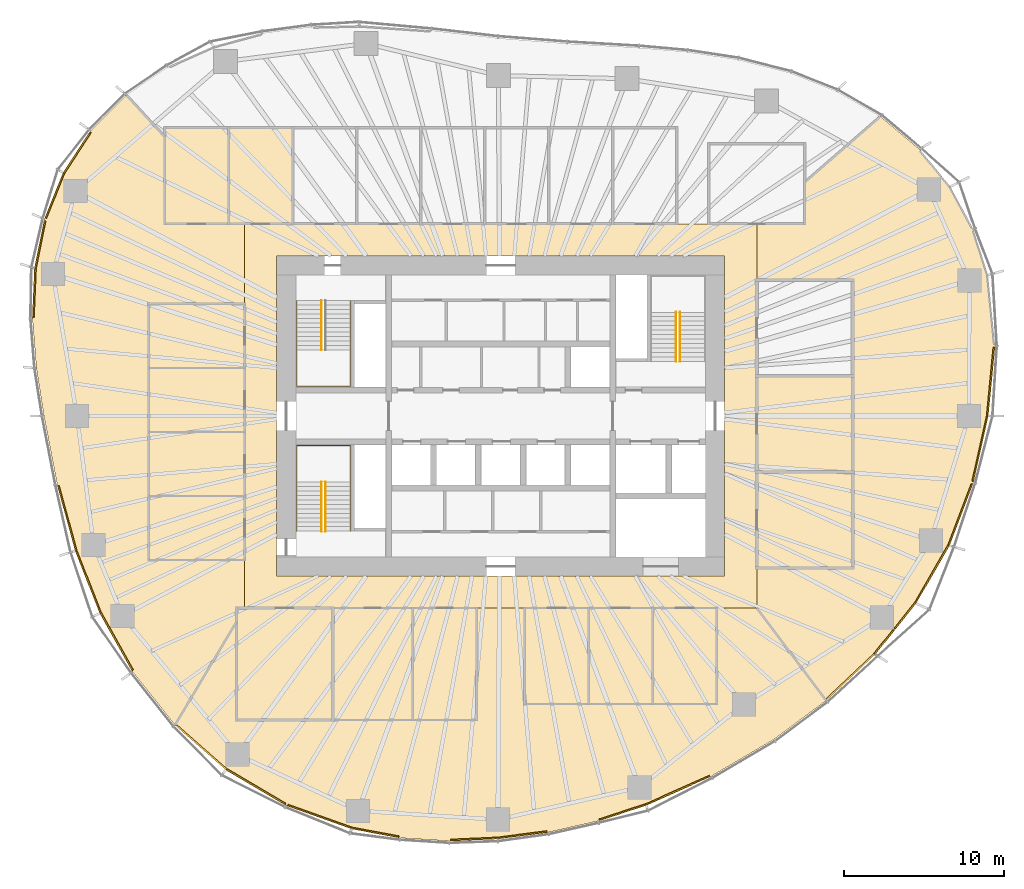
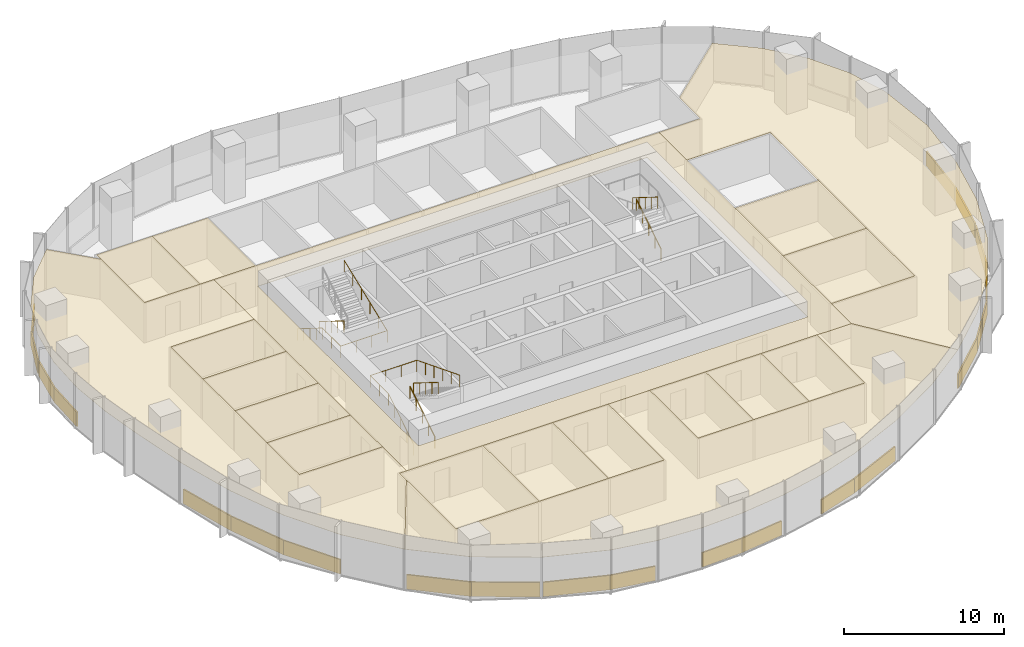
# One storey, part 17 of 18: 40 coverings, 7 railings.
"""IFC4 building model written with IfcOpenShell, lengths in metres."""

from ifc_helpers import new_model, si_unit, direction, frame, origin, origin_2d, place, context, subcontext, project, spatial, polyline, rectangle, circle, outline, extrude, material, layer, layer_set, type_object, element, save


model = new_model("IFC4")

# Units and contexts
model_context = context("Model", 3, precision=1e-05, world=origin(), true_north=direction((0.0, 1.0)))
body_context = subcontext(model_context, "Body", "Model", "MODEL_VIEW")
ifc_project = project(units=[si_unit("LENGTHUNIT", "METRE"), si_unit("AREAUNIT", "SQUARE_METRE"), si_unit("VOLUMEUNIT", "CUBIC_METRE"), si_unit("PLANEANGLEUNIT", "RADIAN"), si_unit("MASSUNIT", "GRAM", prefix="KILO")], contexts=[model_context])

# Site, building, storey
site_placement = place(None, origin())
site = spatial("IfcSite", under=ifc_project, at=site_placement, CompositionType="ELEMENT")
building_placement = place(site_placement, origin())
building = spatial("IfcBuilding", under=site, at=building_placement, Name="Ghaith Harvest Tower", CompositionType="ELEMENT")
storey_placement = place(building_placement, frame((0.0, 0.0, 113.39990234375)))
storey = spatial("IfcBuildingStorey", under=building, at=storey_placement, Name="L23", CompositionType="ELEMENT", Elevation=113.39990234375)

# Coverings
ifc_material_1 = material(Name="Mineral fibre ceiling tile", Category="gypsum")
ifc_layer_1 = layer(ifc_material_1, 0.02001953125)
ifc_layer_set_1 = layer_set([ifc_layer_1], Name="CEILING C1")
covering_type_1 = type_object("IfcCoveringType", Name="CEILING C1", PredefinedType="CEILING", material=ifc_layer_set_1)
covering_1_placement = place(storey_placement, frame((0.0, 0.0, 3.0)))
element("IfcCovering", 1, at=covering_1_placement, inside=storey, type_object=covering_type_1, Name="Ceiling L23-01", PredefinedType="CEILING", context=body_context, shape_type="SweptSolid", body=[
    extrude(outline(polyline([(-21.0, 12.0), (-17.0, 12.0), (-17.0, 18.0), (-21.0, 18.0), (-21.0, 12.0)])), origin(), (0.0, 0.0, 1.0), 0.02001953125),
])
covering_2_placement = place(storey_placement, frame((0.0, 0.0, 3.0)))
element("IfcCovering", 2, at=covering_2_placement, inside=storey, type_object=covering_type_1, Name="Ceiling L23-02", PredefinedType="CEILING", context=body_context, shape_type="SweptSolid", body=[
    extrude(outline(polyline([(-17.0, 12.0), (-13.0, 12.0), (-13.0, 18.0), (-17.0, 18.0), (-17.0, 12.0)])), origin(), (0.0, 0.0, 1.0), 0.02001953125),
])
covering_3_placement = place(storey_placement, frame((0.0, 0.0, 3.0)))
element("IfcCovering", 3, at=covering_3_placement, inside=storey, type_object=covering_type_1, Name="Ceiling L23-10", PredefinedType="CEILING", context=body_context, shape_type="SweptSolid", body=[
    extrude(outline(polyline([(16.0, -9.5), (22.0, -9.5), (22.0, -3.5), (16.0, -3.5), (16.0, -9.5)])), origin(), (0.0, 0.0, 1.0), 0.02001953125),
])
covering_4_placement = place(storey_placement, frame((0.0, 0.0, 3.0)))
element("IfcCovering", 4, at=covering_4_placement, inside=storey, type_object=covering_type_1, Name="Ceiling L23-11", PredefinedType="CEILING", context=body_context, shape_type="SweptSolid", body=[
    extrude(outline(polyline([(16.0, -3.5), (22.0, -3.5), (22.0, 2.5), (16.0, 2.5), (16.0, -3.5)])), origin(), (0.0, 0.0, 1.0), 0.02001953125),
])
covering_5_placement = place(storey_placement, frame((0.0, 0.0, 3.0)))
element("IfcCovering", 5, at=covering_5_placement, inside=storey, type_object=covering_type_1, Name="Ceiling L23-13", PredefinedType="CEILING", context=body_context, shape_type="SweptSolid", body=[
    extrude(outline(polyline([(-16.5, -19.0), (-10.5, -19.0), (-10.5, -12.0), (-16.5, -12.0), (-16.5, -19.0)])), origin(), (0.0, 0.0, 1.0), 0.02001953125),
])
covering_6_placement = place(storey_placement, frame((0.0, 0.0, 3.0)))
element("IfcCovering", 6, at=covering_6_placement, inside=storey, type_object=covering_type_1, Name="Ceiling L23-14", PredefinedType="CEILING", context=body_context, shape_type="SweptSolid", body=[
    extrude(outline(polyline([(-10.5, -19.0), (-5.5, -19.0), (-5.5, -12.0), (-10.5, -12.0), (-10.5, -19.0)])), origin(), (0.0, 0.0, 1.0), 0.02001953125),
])
covering_7_placement = place(storey_placement, frame((0.0, 0.0, 3.0)))
element("IfcCovering", 7, at=covering_7_placement, inside=storey, type_object=covering_type_1, Name="Ceiling L23-15", PredefinedType="CEILING", context=body_context, shape_type="SweptSolid", body=[
    extrude(outline(polyline([(-5.5, -19.0), (-1.5, -19.0), (-1.5, -12.0), (-5.5, -12.0), (-5.5, -19.0)])), origin(), (0.0, 0.0, 1.0), 0.02001953125),
])
covering_8_placement = place(storey_placement, frame((0.0, 0.0, 3.0)))
element("IfcCovering", 8, at=covering_8_placement, inside=storey, type_object=covering_type_1, Name="Ceiling L23-16", PredefinedType="CEILING", context=body_context, shape_type="SweptSolid", body=[
    extrude(outline(polyline([(1.5, -18.0), (5.5, -18.0), (5.5, -12.0), (1.5, -12.0), (1.5, -18.0)])), origin(), (0.0, 0.0, 1.0), 0.02001953125),
])
covering_9_placement = place(storey_placement, frame((0.0, 0.0, 3.0)))
element("IfcCovering", 9, at=covering_9_placement, inside=storey, type_object=covering_type_1, Name="Ceiling L23-17", PredefinedType="CEILING", context=body_context, shape_type="SweptSolid", body=[
    extrude(outline(polyline([(5.5, -18.0), (9.5, -18.0), (9.5, -12.0), (5.5, -12.0), (5.5, -18.0)])), origin(), (0.0, 0.0, 1.0), 0.02001953125),
])
covering_10_placement = place(storey_placement, frame((0.0, 0.0, 3.0)))
element("IfcCovering", 10, at=covering_10_placement, inside=storey, type_object=covering_type_1, Name="Ceiling L23-18", PredefinedType="CEILING", context=body_context, shape_type="SweptSolid", body=[
    extrude(outline(polyline([(9.5, -18.0), (13.5, -18.0), (13.5, -12.0), (9.5, -12.0), (9.5, -18.0)])), origin(), (0.0, 0.0, 1.0), 0.02001953125),
])
covering_11_placement = place(storey_placement, frame((0.0, 0.0, 3.0)))
element("IfcCovering", 11, at=covering_11_placement, inside=storey, type_object=covering_type_1, Name="Ceiling L23-19", PredefinedType="CEILING", context=body_context, shape_type="SweptSolid", body=[
    extrude(outline(polyline([(-22.0, -9.0), (-16.0, -9.0), (-16.0, -5.0), (-22.0, -5.0), (-22.0, -9.0)])), origin(), (0.0, 0.0, 1.0), 0.02001953125),
])
covering_12_placement = place(storey_placement, frame((0.0, 0.0, 3.0)))
element("IfcCovering", 12, at=covering_12_placement, inside=storey, type_object=covering_type_1, Name="Ceiling L23-20", PredefinedType="CEILING", context=body_context, shape_type="SweptSolid", body=[
    extrude(outline(polyline([(-22.0, -5.0), (-16.0, -5.0), (-16.0, -1.0), (-22.0, -1.0), (-22.0, -5.0)])), origin(), (0.0, 0.0, 1.0), 0.02001953125),
])
covering_13_placement = place(storey_placement, frame((0.0, 0.0, 3.0)))
element("IfcCovering", 13, at=covering_13_placement, inside=storey, type_object=covering_type_1, Name="Ceiling L23-21", PredefinedType="CEILING", context=body_context, shape_type="SweptSolid", body=[
    extrude(outline(polyline([(-22.0, -1.0), (-16.0, -1.0), (-16.0, 3.0), (-22.0, 3.0), (-22.0, -1.0)])), origin(), (0.0, 0.0, 1.0), 0.02001953125),
])
covering_14_placement = place(storey_placement, frame((0.0, 0.0, 3.0)))
element("IfcCovering", 14, at=covering_14_placement, inside=storey, type_object=covering_type_1, Name="Ceiling L23-22", PredefinedType="CEILING", context=body_context, shape_type="SweptSolid", body=[
    extrude(outline(polyline([(-22.0, 3.0), (-16.0, 3.0), (-16.0, 7.0), (-22.0, 7.0), (-22.0, 3.0)])), origin(), (0.0, 0.0, 1.0), 0.02001953125),
])
covering_15_placement = place(storey_placement, frame((0.0, 0.0, 3.0)))
element("IfcCovering", 15, at=covering_15_placement, inside=storey, type_object=covering_type_1, Name="Ceiling L23-C1", PredefinedType="CEILING", context=body_context, shape_type="SweptSolid", body=[
    extrude(outline(polyline([(-16.0, 12.0), (16.0, 12.0), (16.0, -12.0), (-16.0, -12.0), (-16.0, 12.0)]), holes=[polyline([(-14.0, -10.0), (14.0, -10.0), (14.0, 10.0), (-14.0, 10.0), (-14.0, -10.0)])]), origin(), (0.0, 0.0, 1.0), 0.02001953125),
])
covering_16_placement = place(storey_placement, frame((0.0, 0.0, 3.0)))
element("IfcCovering", 16, at=covering_16_placement, inside=storey, type_object=covering_type_1, Name="Ceiling L23-E1", PredefinedType="CEILING", context=body_context, shape_type="SweptSolid", body=[
    extrude(outline(polyline([(26.179443359375, 16.660888671875), (28.0888671875, 14.32568359375), (29.52294921875, 11.671875), (30.439208984375, 8.797607421875), (30.8798828125, 4.373046875), (30.458740234375, 0.0), (29.527099609375, -4.181396484375), (28.03125, -8.1015625), (25.94775390625, -11.714111328125), (23.400390625, -14.89208984375), (20.33935546875, -17.784912109375), (16.0, -12.0), (16.0, -9.5), (22.0, -9.5), (22.0, 8.5), (16.0, 8.5), (16.0, 12.0), (19.0, 12.0), (19.0, 14.60791015625), (23.7275390625, 18.718017578125), (26.179443359375, 16.660888671875)])), origin(), (0.0, 0.0, 1.0), 0.02001953125),
])
covering_17_placement = place(storey_placement, frame((0.0, 0.0, 3.0)))
element("IfcCovering", 17, at=covering_17_placement, inside=storey, type_object=covering_type_1, Name="Ceiling L23-S1", PredefinedType="CEILING", context=body_context, shape_type="SweptSolid", body=[
    extrude(outline(polyline([(17.054443359375, -20.22412109375), (13.163818359375, -22.510498046875), (9.09423828125, -24.326904296875), (6.09228515625, -25.308837890625), (2.99609375, -26.010009765625), (-0.180908203125, -26.423583984375), (-3.204833984375, -26.556884765625), (-6.2666015625, -26.366455078125), (-9.317138671875, -25.79638671875), (-13.4052734375, -24.33740234375), (-17.1728515625, -22.11181640625), (-20.35400390625, -19.31396484375), (-16.5, -12.83984375), (-16.5, -19.0), (-1.5, -19.0), (-1.5, -12.0), (1.5, -12.0), (1.5, -18.0), (13.5, -18.0), (13.5, -12.0), (16.0, -12.0), (20.33935546875, -17.784912109375), (17.054443359375, -20.22412109375)])), origin(), (0.0, 0.0, 1.0), 0.02001953125),
])
covering_18_placement = place(storey_placement, frame((0.0, 0.0, 3.0)))
element("IfcCovering", 18, at=covering_18_placement, inside=storey, type_object=covering_type_1, Name="Ceiling L23-W1", PredefinedType="CEILING", context=body_context, shape_type="SweptSolid", body=[
    extrude(outline(polyline([(-29.12646484375, 9.230712890625), (-28.506591796875, 12.29638671875), (-27.33837890625, 15.204833984375), (-25.61962890625, 17.826416015625), (-23.398193359375, 20.06103515625), (-21.0, 17.447998046875), (-21.0, 12.0), (-16.0, 12.0), (-16.0, 7.0), (-22.0, 7.0), (-22.0, -9.0), (-16.0, -9.0), (-16.0, -12.0), (-16.5, -12.0), (-16.5, -12.83984375), (-20.35400390625, -19.31396484375), (-22.99169921875, -15.997802734375), (-25.046875, -12.32861328125), (-26.580078125, -8.423583984375), (-27.70947265625, -4.285888671875), (-28.541259765625, 0.0), (-29.01171875, 2.978271484375), (-29.260498046875, 6.07177734375), (-29.12646484375, 9.230712890625)])), origin(), (0.0, 0.0, 1.0), 0.02001953125),
])

# Railings
ifc_material_2 = material(Name="Steel, black powder-coated", Category="steel")
railing_type = type_object("IfcRailingType", Name="HANDRAIL HR1", PredefinedType="HANDRAIL", material=ifc_material_2)
railing_1_placement = place(storey_placement, frame((-11.199951171875, 7.199951171875, 0.175048828125)))
element("IfcRailing", 19, at=railing_1_placement, inside=storey, type_object=railing_type, Name="Handrail HR1 stair ST1 L23 flight 1 inner", PredefinedType="HANDRAIL", context=body_context, shape_type="SweptSolid", body=[
    extrude(circle(Radius=0.02392578125, at=origin_2d()), frame((0.0, 0.0, 0.8759765625), z_axis=(0.0, -0.847979421464, 0.530029150871), x_axis=(1.0, 0.0, 0.0)), (0.0, 0.0, 1.0), 3.632080078125),
    extrude(circle(Radius=0.02099609375, at=origin_2d()), origin(), (0.0, 0.0, 1.0), 0.851806640625),
    extrude(circle(Radius=0.02099609375, at=origin_2d()), frame((0.0, -0.77001953125, 0.481201171875)), (0.0, 0.0, 1.0), 0.851806640625),
    extrude(circle(Radius=0.02099609375, at=origin_2d()), frame((0.0, -1.5400390625, 0.96240234375)), (0.0, 0.0, 1.0), 0.851806640625),
    extrude(circle(Radius=0.02099609375, at=origin_2d()), frame((0.0, -2.309814453125, 1.44384765625)), (0.0, 0.0, 1.0), 0.851806640625),
    extrude(circle(Radius=0.02099609375, at=origin_2d()), frame((0.0, -3.079833984375, 1.925048828125)), (0.0, 0.0, 1.0), 0.851806640625),
])
railing_2_placement = place(storey_placement, frame((-12.75, 7.199951171875, 0.175048828125)))
element("IfcRailing", 20, at=railing_2_placement, inside=storey, type_object=railing_type, Name="Handrail HR1 stair ST1 L23 wall side", PredefinedType="HANDRAIL", context=body_context, shape_type="SweptSolid", body=[
    extrude(circle(Radius=0.02392578125, at=origin_2d()), frame((0.0, 0.0, 0.8759765625), z_axis=(0.0, -0.847979421464, 0.530029150871), x_axis=(1.0, 0.0, 0.0)), (0.0, 0.0, 1.0), 3.632080078125),
    extrude(circle(Radius=0.02392578125, at=origin_2d()), frame((0.0, -3.079833984375, 2.80078125), z_axis=(0.0, -1.0, 0.0), x_axis=(1.0, 0.0, 0.0)), (0.0, 0.0, 1.0), 2.27001953125),
    extrude(circle(Radius=0.02392578125, at=origin_2d()), frame((0.0, -5.349853515625, 2.80078125), z_axis=(1.0, 0.0, 0.0), x_axis=(0.0, 1.0, 0.0)), (0.0, 0.0, 1.0), 3.35009765625),
    extrude(circle(Radius=0.02392578125, at=origin_2d()), frame((3.35009765625, -5.349853515625, 2.80078125), z_axis=(0.0, 0.930848013298, 0.36540659017), x_axis=(-1.0, 0.0, 0.0)), (0.0, 0.0, 1.0), 5.747314453125),
    extrude(circle(Radius=0.02099609375, at=origin_2d()), origin(), (0.0, 0.0, 1.0), 0.851806640625),
    extrude(circle(Radius=0.02099609375, at=origin_2d()), frame((0.0, -0.77001953125, 0.481201171875)), (0.0, 0.0, 1.0), 0.851806640625),
    extrude(circle(Radius=0.02099609375, at=origin_2d()), frame((0.0, -1.5400390625, 0.96240234375)), (0.0, 0.0, 1.0), 0.851806640625),
    extrude(circle(Radius=0.02099609375, at=origin_2d()), frame((0.0, -2.309814453125, 1.44384765625)), (0.0, 0.0, 1.0), 0.851806640625),
    extrude(circle(Radius=0.02099609375, at=origin_2d()), frame((0.0, -3.079833984375, 1.925048828125)), (0.0, 0.0, 1.0), 0.851806640625),
    extrude(circle(Radius=0.02099609375, at=origin_2d()), frame((0.0, -4.21484375, 1.925048828125)), (0.0, 0.0, 1.0), 0.851806640625),
    extrude(circle(Radius=0.02099609375, at=origin_2d()), frame((0.0, -5.349853515625, 1.925048828125)), (0.0, 0.0, 1.0), 0.851806640625),
    extrude(circle(Radius=0.02099609375, at=origin_2d()), frame((1.11669921875, -5.349853515625, 1.925048828125)), (0.0, 0.0, 1.0), 0.851806640625),
    extrude(circle(Radius=0.02099609375, at=origin_2d()), frame((2.2333984375, -5.349853515625, 1.925048828125)), (0.0, 0.0, 1.0), 0.851806640625),
    extrude(circle(Radius=0.02099609375, at=origin_2d()), frame((3.35009765625, -5.349853515625, 1.925048828125)), (0.0, 0.0, 1.0), 0.851806640625),
    extrude(circle(Radius=0.02099609375, at=origin_2d()), frame((3.35009765625, -4.27978515625, 2.344970703125)), (0.0, 0.0, 1.0), 0.851806640625),
    extrude(circle(Radius=0.02099609375, at=origin_2d()), frame((3.35009765625, -3.2099609375, 2.76513671875)), (0.0, 0.0, 1.0), 0.851806640625),
    extrude(circle(Radius=0.02099609375, at=origin_2d()), frame((3.35009765625, -2.139892578125, 3.18505859375)), (0.0, 0.0, 1.0), 0.851806640625),
    extrude(circle(Radius=0.02099609375, at=origin_2d()), frame((3.35009765625, -1.070068359375, 3.605224609375)), (0.0, 0.0, 1.0), 0.851806640625),
    extrude(circle(Radius=0.02099609375, at=origin_2d()), frame((3.35009765625, 0.0, 4.025146484375)), (0.0, 0.0, 1.0), 0.851806640625),
])
railing_3_placement = place(storey_placement, frame((-11.199951171875, -7.199951171875, 0.175048828125)))
element("IfcRailing", 21, at=railing_3_placement, inside=storey, type_object=railing_type, Name="Handrail HR1 stair ST3 L23 flight 1 inner", PredefinedType="HANDRAIL", context=body_context, shape_type="SweptSolid", body=[
    extrude(circle(Radius=0.02392578125, at=origin_2d()), frame((0.0, 0.0, 0.8759765625), z_axis=(0.0, 0.847979421464, 0.530029150871), x_axis=(-1.0, 0.0, 0.0)), (0.0, 0.0, 1.0), 3.632080078125),
    extrude(circle(Radius=0.02099609375, at=origin_2d()), origin(), (0.0, 0.0, 1.0), 0.851806640625),
    extrude(circle(Radius=0.02099609375, at=origin_2d()), frame((0.0, 0.77001953125, 0.481201171875)), (0.0, 0.0, 1.0), 0.851806640625),
    extrude(circle(Radius=0.02099609375, at=origin_2d()), frame((0.0, 1.5400390625, 0.96240234375)), (0.0, 0.0, 1.0), 0.851806640625),
    extrude(circle(Radius=0.02099609375, at=origin_2d()), frame((0.0, 2.309814453125, 1.44384765625)), (0.0, 0.0, 1.0), 0.851806640625),
    extrude(circle(Radius=0.02099609375, at=origin_2d()), frame((0.0, 3.079833984375, 1.925048828125)), (0.0, 0.0, 1.0), 0.851806640625),
])
railing_4_placement = place(storey_placement, frame((-10.949951171875, -4.1201171875, 2.275146484375)))
element("IfcRailing", 22, at=railing_4_placement, inside=storey, type_object=railing_type, Name="Handrail HR1 stair ST3 L23 flight 2 inner", PredefinedType="HANDRAIL", context=body_context, shape_type="SweptSolid", body=[
    extrude(circle(Radius=0.02392578125, at=origin_2d()), frame((0.0, 0.0, 0.8759765625), z_axis=(0.0, -0.847979421464, 0.530029150871), x_axis=(1.0, 0.0, 0.0)), (0.0, 0.0, 1.0), 3.632080078125),
    extrude(circle(Radius=0.02099609375, at=origin_2d()), origin(), (0.0, 0.0, 1.0), 0.851806640625),
    extrude(circle(Radius=0.02099609375, at=origin_2d()), frame((0.0, -0.77001953125, 0.481201171875)), (0.0, 0.0, 1.0), 0.851806640625),
    extrude(circle(Radius=0.02099609375, at=origin_2d()), frame((0.0, -1.5400390625, 0.96240234375)), (0.0, 0.0, 1.0), 0.851806640625),
    extrude(circle(Radius=0.02099609375, at=origin_2d()), frame((0.0, -2.309814453125, 1.44384765625)), (0.0, 0.0, 1.0), 0.851806640625),
    extrude(circle(Radius=0.02099609375, at=origin_2d()), frame((0.0, -3.079833984375, 1.925048828125)), (0.0, 0.0, 1.0), 0.851806640625),
])
railing_5_placement = place(storey_placement, frame((-12.75, -7.199951171875, 0.175048828125)))
element("IfcRailing", 23, at=railing_5_placement, inside=storey, type_object=railing_type, Name="Handrail HR1 stair ST3 L23 wall side", PredefinedType="HANDRAIL", context=body_context, shape_type="SweptSolid", body=[
    extrude(circle(Radius=0.02392578125, at=origin_2d()), frame((0.0, 0.0, 0.8759765625), z_axis=(0.0, 0.847979421464, 0.530029150871), x_axis=(-1.0, 0.0, 0.0)), (0.0, 0.0, 1.0), 3.632080078125),
    extrude(circle(Radius=0.02392578125, at=origin_2d()), frame((0.0, 3.079833984375, 2.80078125), z_axis=(0.0, 1.0, 0.0), x_axis=(-1.0, 0.0, 0.0)), (0.0, 0.0, 1.0), 2.27001953125),
    extrude(circle(Radius=0.02392578125, at=origin_2d()), frame((0.0, 5.349853515625, 2.80078125), z_axis=(1.0, 0.0, 0.0), x_axis=(0.0, 1.0, 0.0)), (0.0, 0.0, 1.0), 3.35009765625),
    extrude(circle(Radius=0.02392578125, at=origin_2d()), frame((3.35009765625, 5.349853515625, 2.80078125), z_axis=(0.0, -0.930848013298, 0.36540659017), x_axis=(1.0, 0.0, 0.0)), (0.0, 0.0, 1.0), 5.747314453125),
    extrude(circle(Radius=0.02099609375, at=origin_2d()), origin(), (0.0, 0.0, 1.0), 0.851806640625),
    extrude(circle(Radius=0.02099609375, at=origin_2d()), frame((0.0, 0.77001953125, 0.481201171875)), (0.0, 0.0, 1.0), 0.851806640625),
    extrude(circle(Radius=0.02099609375, at=origin_2d()), frame((0.0, 1.5400390625, 0.96240234375)), (0.0, 0.0, 1.0), 0.851806640625),
    extrude(circle(Radius=0.02099609375, at=origin_2d()), frame((0.0, 2.309814453125, 1.44384765625)), (0.0, 0.0, 1.0), 0.851806640625),
    extrude(circle(Radius=0.02099609375, at=origin_2d()), frame((0.0, 3.079833984375, 1.925048828125)), (0.0, 0.0, 1.0), 0.851806640625),
    extrude(circle(Radius=0.02099609375, at=origin_2d()), frame((0.0, 4.21484375, 1.925048828125)), (0.0, 0.0, 1.0), 0.851806640625),
    extrude(circle(Radius=0.02099609375, at=origin_2d()), frame((0.0, 5.349853515625, 1.925048828125)), (0.0, 0.0, 1.0), 0.851806640625),
    extrude(circle(Radius=0.02099609375, at=origin_2d()), frame((1.11669921875, 5.349853515625, 1.925048828125)), (0.0, 0.0, 1.0), 0.851806640625),
    extrude(circle(Radius=0.02099609375, at=origin_2d()), frame((2.2333984375, 5.349853515625, 1.925048828125)), (0.0, 0.0, 1.0), 0.851806640625),
    extrude(circle(Radius=0.02099609375, at=origin_2d()), frame((3.35009765625, 5.349853515625, 1.925048828125)), (0.0, 0.0, 1.0), 0.851806640625),
    extrude(circle(Radius=0.02099609375, at=origin_2d()), frame((3.35009765625, 4.27978515625, 2.344970703125)), (0.0, 0.0, 1.0), 0.851806640625),
    extrude(circle(Radius=0.02099609375, at=origin_2d()), frame((3.35009765625, 3.2099609375, 2.76513671875)), (0.0, 0.0, 1.0), 0.851806640625),
    extrude(circle(Radius=0.02099609375, at=origin_2d()), frame((3.35009765625, 2.139892578125, 3.18505859375)), (0.0, 0.0, 1.0), 0.851806640625),
    extrude(circle(Radius=0.02099609375, at=origin_2d()), frame((3.35009765625, 1.070068359375, 3.605224609375)), (0.0, 0.0, 1.0), 0.851806640625),
    extrude(circle(Radius=0.02099609375, at=origin_2d()), frame((3.35009765625, 0.0, 4.025146484375)), (0.0, 0.0, 1.0), 0.851806640625),
])
railing_6_placement = place(storey_placement, frame((11.199951171875, 3.39990234375, 0.175048828125)))
element("IfcRailing", 24, at=railing_6_placement, inside=storey, type_object=railing_type, Name="Handrail HR1 stair ST2 L23 flight 1 inner", PredefinedType="HANDRAIL", context=body_context, shape_type="SweptSolid", body=[
    extrude(circle(Radius=0.02392578125, at=origin_2d()), frame((0.0, 0.0, 0.8759765625), z_axis=(0.0, 0.847998304005, 0.529998940003), x_axis=(-1.0, 0.0, 0.0)), (0.0, 0.0, 1.0), 3.632080078125),
    extrude(circle(Radius=0.02099609375, at=origin_2d()), origin(), (0.0, 0.0, 1.0), 0.851806640625),
    extrude(circle(Radius=0.02099609375, at=origin_2d()), frame((0.0, 0.77001953125, 0.481201171875)), (0.0, 0.0, 1.0), 0.851806640625),
    extrude(circle(Radius=0.02099609375, at=origin_2d()), frame((0.0, 1.5400390625, 0.96240234375)), (0.0, 0.0, 1.0), 0.851806640625),
    extrude(circle(Radius=0.02099609375, at=origin_2d()), frame((0.0, 2.31005859375, 1.44384765625)), (0.0, 0.0, 1.0), 0.851806640625),
    extrude(circle(Radius=0.02099609375, at=origin_2d()), frame((0.0, 3.080078125, 1.925048828125)), (0.0, 0.0, 1.0), 0.851806640625),
])
railing_7_placement = place(storey_placement, frame((10.949951171875, 6.47998046875, 2.275146484375)))
element("IfcRailing", 25, at=railing_7_placement, inside=storey, type_object=railing_type, Name="Handrail HR1 stair ST2 L23 flight 2 inner", PredefinedType="HANDRAIL", context=body_context, shape_type="SweptSolid", body=[
    extrude(circle(Radius=0.02392578125, at=origin_2d()), frame((0.0, 0.0, 0.8759765625), z_axis=(0.0, -0.847998304005, 0.529998940003), x_axis=(1.0, 0.0, 0.0)), (0.0, 0.0, 1.0), 3.632080078125),
    extrude(circle(Radius=0.02099609375, at=origin_2d()), origin(), (0.0, 0.0, 1.0), 0.851806640625),
    extrude(circle(Radius=0.02099609375, at=origin_2d()), frame((0.0, -0.77001953125, 0.481201171875)), (0.0, 0.0, 1.0), 0.851806640625),
    extrude(circle(Radius=0.02099609375, at=origin_2d()), frame((0.0, -1.5400390625, 0.96240234375)), (0.0, 0.0, 1.0), 0.851806640625),
    extrude(circle(Radius=0.02099609375, at=origin_2d()), frame((0.0, -2.31005859375, 1.44384765625)), (0.0, 0.0, 1.0), 0.851806640625),
    extrude(circle(Radius=0.02099609375, at=origin_2d()), frame((0.0, -3.080078125, 1.925048828125)), (0.0, 0.0, 1.0), 0.851806640625),
])

# Coverings
ifc_material_3 = material(Name="Insulated aluminium spandrel panel on steel framing", Category="steel")
ifc_layer_2 = layer(ifc_material_3, 0.10009765625)
ifc_layer_set_2 = layer_set([ifc_layer_2], Name="SLAB EDGE UPSTAND 1100x100")
covering_type_2 = type_object("IfcCoveringType", Name="SLAB EDGE UPSTAND 1100x100", PredefinedType="CLADDING", material=ifc_layer_set_2)
covering_19_placement = place(storey_placement, frame((30.61474609375, 2.1416015625, 0.0), z_axis=(0.0, 0.0, 1.0), x_axis=(0.095861332319, 0.99539469808, 0.0)))
element("IfcCovering", 26, at=covering_19_placement, inside=storey, type_object=covering_type_2, Name="Slab edge upstand 1 bay 01 L23", PredefinedType="CLADDING", context=body_context, shape_type="SweptSolid", body=[
    extrude(rectangle(XDim=4.293212890625, YDim=0.10009765625, at=origin_2d()), origin(), (0.0, 0.0, 1.0), 1.10009765625),
])
covering_20_placement = place(storey_placement, frame((-26.464599609375, 16.4462890625, 0.0), z_axis=(0.0, 0.0, 1.0), x_axis=(-0.548312211554, -0.836273710373, 0.0)))
element("IfcCovering", 27, at=covering_20_placement, inside=storey, type_object=covering_type_2, Name="Slab edge upstand 1 bay 09 L23", PredefinedType="CLADDING", context=body_context, shape_type="SweptSolid", body=[
    extrude(rectangle(XDim=3.03466796875, YDim=0.10009765625, at=origin_2d()), origin(), (0.0, 0.0, 1.0), 1.10009765625),
])
covering_21_placement = place(storey_placement, frame((-27.857421875, 13.7783203125, 0.0), z_axis=(0.0, 0.0, 1.0), x_axis=(-0.372732078847, -0.927939005215, 0.0)))
element("IfcCovering", 28, at=covering_21_placement, inside=storey, type_object=covering_type_2, Name="Slab edge upstand 2 bay 09 L23", PredefinedType="CLADDING", context=body_context, shape_type="SweptSolid", body=[
    extrude(rectangle(XDim=3.034423828125, YDim=0.10009765625, at=origin_2d()), origin(), (0.0, 0.0, 1.0), 1.10009765625),
])
covering_22_placement = place(storey_placement, frame((-28.777587890625, 10.70458984375, 0.0), z_axis=(0.0, 0.0, 1.0), x_axis=(-0.198182542943, -0.980165128778, 0.0)))
element("IfcCovering", 29, at=covering_22_placement, inside=storey, type_object=covering_type_2, Name="Slab edge upstand 3 bay 09 L23", PredefinedType="CLADDING", context=body_context, shape_type="SweptSolid", body=[
    extrude(rectangle(XDim=3.027587890625, YDim=0.10009765625, at=origin_2d()), origin(), (0.0, 0.0, 1.0), 1.10009765625),
])
covering_23_placement = place(storey_placement, frame((-29.141357421875, 7.69921875, 0.0), z_axis=(0.0, 0.0, 1.0), x_axis=(-0.042372799788, -0.9991018696, 0.0)))
element("IfcCovering", 30, at=covering_23_placement, inside=storey, type_object=covering_type_2, Name="Slab edge upstand 1 bay 10 L23", PredefinedType="CLADDING", context=body_context, shape_type="SweptSolid", body=[
    extrude(rectangle(XDim=3.061767578125, YDim=0.10009765625, at=origin_2d()), origin(), (0.0, 0.0, 1.0), 1.10009765625),
])
covering_24_placement = place(storey_placement, frame((-27.08349609375, -6.389892578125, 0.0), z_axis=(0.0, 0.0, 1.0), x_axis=(0.263287721652, -0.964717355305, 0.0)))
element("IfcCovering", 31, at=covering_24_placement, inside=storey, type_object=covering_type_2, Name="Slab edge upstand 2 bay 11 L23", PredefinedType="CLADDING", context=body_context, shape_type="SweptSolid", body=[
    extrude(rectangle(XDim=4.189208984375, YDim=0.10009765625, at=origin_2d()), origin(), (0.0, 0.0, 1.0), 1.10009765625),
])
covering_25_placement = place(storey_placement, frame((-25.76708984375, -10.35791015625, 0.0), z_axis=(0.0, 0.0, 1.0), x_axis=(0.365514970008, -0.930805461254, 0.0)))
element("IfcCovering", 32, at=covering_25_placement, inside=storey, type_object=covering_type_2, Name="Slab edge upstand 1 bay 12 L23", PredefinedType="CLADDING", context=body_context, shape_type="SweptSolid", body=[
    extrude(rectangle(XDim=4.195068359375, YDim=0.10009765625, at=origin_2d()), origin(), (0.0, 0.0, 1.0), 1.10009765625),
])
covering_26_placement = place(storey_placement, frame((-24.0, -14.09521484375, 0.0), z_axis=(0.0, 0.0, 1.0), x_axis=(0.488683758288, -0.872460993045, 0.0)))
element("IfcCovering", 33, at=covering_26_placement, inside=storey, type_object=covering_type_2, Name="Slab edge upstand 2 bay 12 L23", PredefinedType="CLADDING", context=body_context, shape_type="SweptSolid", body=[
    extrude(rectangle(XDim=4.10546875, YDim=0.10009765625, at=origin_2d()), origin(), (0.0, 0.0, 1.0), 1.10009765625),
])
covering_27_placement = place(storey_placement, frame((-18.69287109375, -20.70849609375, 0.0), z_axis=(0.0, 0.0, 1.0), x_axis=(0.75089221411, -0.660424774511, 0.0)))
element("IfcCovering", 34, at=covering_27_placement, inside=storey, type_object=covering_type_2, Name="Slab edge upstand 2 bay 13 L23", PredefinedType="CLADDING", context=body_context, shape_type="SweptSolid", body=[
    extrude(rectangle(XDim=4.136474609375, YDim=0.10009765625, at=origin_2d()), origin(), (0.0, 0.0, 1.0), 1.10009765625),
])
covering_28_placement = place(storey_placement, frame((-15.306640625, -23.15625, 0.0), z_axis=(0.0, 0.0, 1.0), x_axis=(0.861020519069, -0.508570217121, 0.0)))
element("IfcCovering", 35, at=covering_28_placement, inside=storey, type_object=covering_type_2, Name="Slab edge upstand 1 bay 14 L23", PredefinedType="CLADDING", context=body_context, shape_type="SweptSolid", body=[
    extrude(rectangle(XDim=4.27587890625, YDim=0.10009765625, at=origin_2d()), origin(), (0.0, 0.0, 1.0), 1.10009765625),
])
covering_29_placement = place(storey_placement, frame((-11.29736328125, -25.03662109375, 0.0), z_axis=(0.0, 0.0, 1.0), x_axis=(0.941807015649, -0.336154049915, 0.0)))
element("IfcCovering", 36, at=covering_29_placement, inside=storey, type_object=covering_type_2, Name="Slab edge upstand 2 bay 14 L23", PredefinedType="CLADDING", context=body_context, shape_type="SweptSolid", body=[
    extrude(rectangle(XDim=4.24072265625, YDim=0.10009765625, at=origin_2d()), origin(), (0.0, 0.0, 1.0), 1.10009765625),
])
covering_30_placement = place(storey_placement, frame((-7.831787109375, -26.023193359375, 0.0), z_axis=(0.0, 0.0, 1.0), x_axis=(0.982990071164, -0.183658705191, 0.0)))
element("IfcCovering", 37, at=covering_30_placement, inside=storey, type_object=covering_type_2, Name="Slab edge upstand 1 bay 15 L23", PredefinedType="CLADDING", context=body_context, shape_type="SweptSolid", body=[
    extrude(rectangle(XDim=3.003173828125, YDim=0.10009765625, at=origin_2d()), origin(), (0.0, 0.0, 1.0), 1.10009765625),
])
covering_31_placement = place(storey_placement, frame((-1.64501953125, -26.43798828125, 0.0), z_axis=(0.0, 0.0, 1.0), x_axis=(0.999029547734, 0.044045008275, 0.0)))
element("IfcCovering", 38, at=covering_31_placement, inside=storey, type_object=covering_type_2, Name="Slab edge upstand 3 bay 15 L23", PredefinedType="CLADDING", context=body_context, shape_type="SweptSolid", body=[
    extrude(rectangle(XDim=2.927001953125, YDim=0.10009765625, at=origin_2d()), origin(), (0.0, 0.0, 1.0), 1.10009765625),
])
covering_32_placement = place(storey_placement, frame((1.3515625, -26.173583984375, 0.0), z_axis=(0.0, 0.0, 1.0), x_axis=(0.991633707242, 0.129083657611, 0.0)))
element("IfcCovering", 39, at=covering_32_placement, inside=storey, type_object=covering_type_2, Name="Slab edge upstand 1 bay 16 L23", PredefinedType="CLADDING", context=body_context, shape_type="SweptSolid", body=[
    extrude(rectangle(XDim=3.103759765625, YDim=0.10009765625, at=origin_2d()), origin(), (0.0, 0.0, 1.0), 1.10009765625),
])
covering_33_placement = place(storey_placement, frame((7.625244140625, -24.754638671875, 0.0), z_axis=(0.0, 0.0, 1.0), x_axis=(0.950441392134, 0.310903779518, 0.0)))
element("IfcCovering", 40, at=covering_33_placement, inside=storey, type_object=covering_type_2, Name="Slab edge upstand 3 bay 16 L23", PredefinedType="CLADDING", context=body_context, shape_type="SweptSolid", body=[
    extrude(rectangle(XDim=3.05859375, YDim=0.10009765625, at=origin_2d()), origin(), (0.0, 0.0, 1.0), 1.10009765625),
])
covering_34_placement = place(storey_placement, frame((11.06298828125, -23.393310546875, 0.0), z_axis=(0.0, 0.0, 1.0), x_axis=(0.913170343632, 0.407578119519, 0.0)))
element("IfcCovering", 41, at=covering_34_placement, inside=storey, type_object=covering_type_2, Name="Slab edge upstand 1 bay 17 L23", PredefinedType="CLADDING", context=body_context, shape_type="SweptSolid", body=[
    extrude(rectangle(XDim=4.356689453125, YDim=0.10009765625, at=origin_2d()), origin(), (0.0, 0.0, 1.0), 1.10009765625),
])
covering_35_placement = place(storey_placement, frame((21.871826171875, -16.267822265625, 0.0), z_axis=(0.0, 0.0, 1.0), x_axis=(0.72680962062, 0.686838973395, 0.0)))
element("IfcCovering", 42, at=covering_35_placement, inside=storey, type_object=covering_type_2, Name="Slab edge upstand 2 bay 18 L23", PredefinedType="CLADDING", context=body_context, shape_type="SweptSolid", body=[
    extrude(rectangle(XDim=4.111572265625, YDim=0.10009765625, at=origin_2d()), origin(), (0.0, 0.0, 1.0), 1.10009765625),
])
covering_36_placement = place(storey_placement, frame((23.95263671875, -14.123046875, 0.0), z_axis=(0.0, 0.0, 1.0), x_axis=(0.625468377377, 0.780249517079, 0.0)))
element("IfcCovering", 43, at=covering_36_placement, inside=storey, type_object=covering_type_2, Name="Slab edge upstand 1 bay 19 L23", PredefinedType="CLADDING", context=body_context, shape_type="SweptSolid", body=[
    extrude(rectangle(XDim=1.89111328125, YDim=0.10009765625, at=origin_2d()), origin(), (0.0, 0.0, 1.0), 1.10009765625),
])
covering_37_placement = place(storey_placement, frame((25.266845703125, -12.483642578125, 0.0), z_axis=(0.0, 0.0, 1.0), x_axis=(0.625468377377, 0.780249517079, 0.0)))
element("IfcCovering", 44, at=covering_37_placement, inside=storey, type_object=covering_type_2, Name="Slab edge upstand 1 bay 19 L23", PredefinedType="CLADDING", context=body_context, shape_type="SweptSolid", body=[
    extrude(rectangle(XDim=2.052490234375, YDim=0.10009765625, at=origin_2d()), origin(), (0.0, 0.0, 1.0), 1.10009765625),
])
covering_38_placement = place(storey_placement, frame((26.9462890625, -9.8828125, 0.0), z_axis=(0.0, 0.0, 1.0), x_axis=(0.499596169173, 0.866258430117, 0.0)))
element("IfcCovering", 45, at=covering_38_placement, inside=storey, type_object=covering_type_2, Name="Slab edge upstand 2 bay 19 L23", PredefinedType="CLADDING", context=body_context, shape_type="SweptSolid", body=[
    extrude(rectangle(XDim=4.170166015625, YDim=0.10009765625, at=origin_2d()), origin(), (0.0, 0.0, 1.0), 1.10009765625),
])
covering_39_placement = place(storey_placement, frame((28.714599609375, -6.17041015625, 0.0), z_axis=(0.0, 0.0, 1.0), x_axis=(0.356503850378, 0.934293853488, 0.0)))
element("IfcCovering", 46, at=covering_39_placement, inside=storey, type_object=covering_type_2, Name="Slab edge upstand 1 bay 20 L23", PredefinedType="CLADDING", context=body_context, shape_type="SweptSolid", body=[
    extrude(rectangle(XDim=4.095947265625, YDim=0.10009765625, at=origin_2d()), origin(), (0.0, 0.0, 1.0), 1.10009765625),
])
covering_40_placement = place(storey_placement, frame((29.955078125, -2.031005859375, 0.0), z_axis=(0.0, 0.0, 1.0), x_axis=(0.217466241983, 0.976067842723, 0.0)))
element("IfcCovering", 47, at=covering_40_placement, inside=storey, type_object=covering_type_2, Name="Slab edge upstand 2 bay 20 L23", PredefinedType="CLADDING", context=body_context, shape_type="SweptSolid", body=[
    extrude(rectangle(XDim=4.183837890625, YDim=0.10009765625, at=origin_2d()), origin(), (0.0, 0.0, 1.0), 1.10009765625),
])

save(model, "model.ifc")
